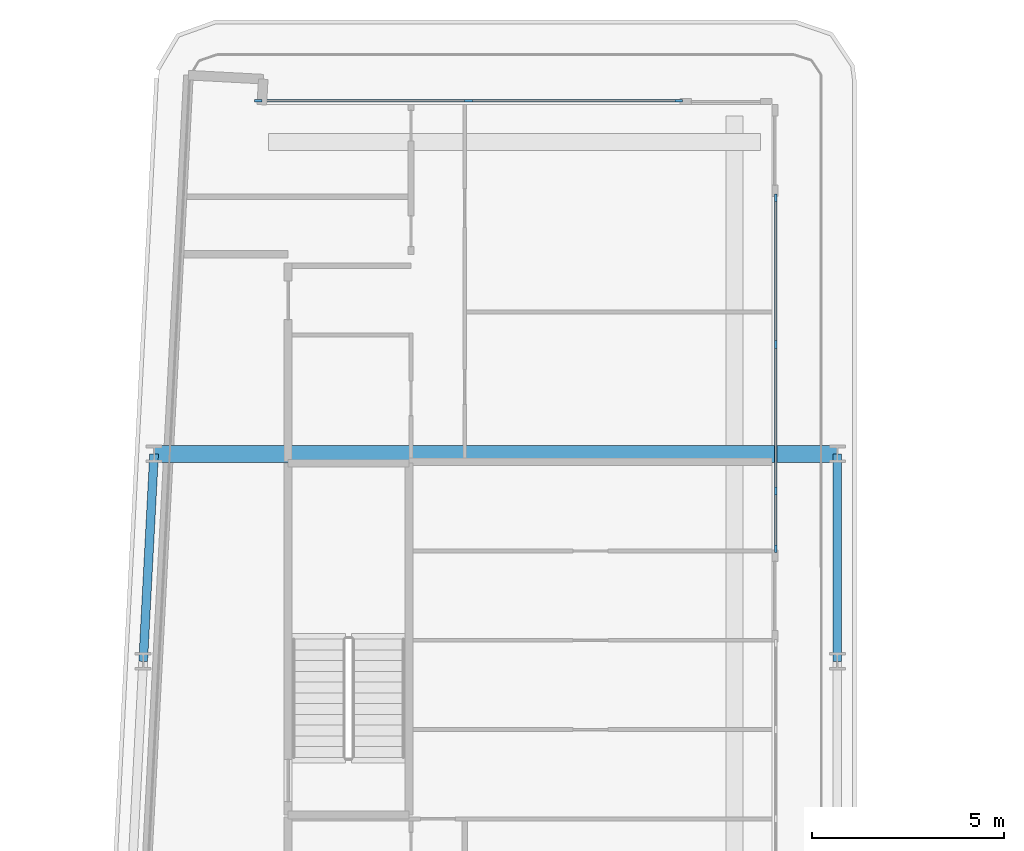
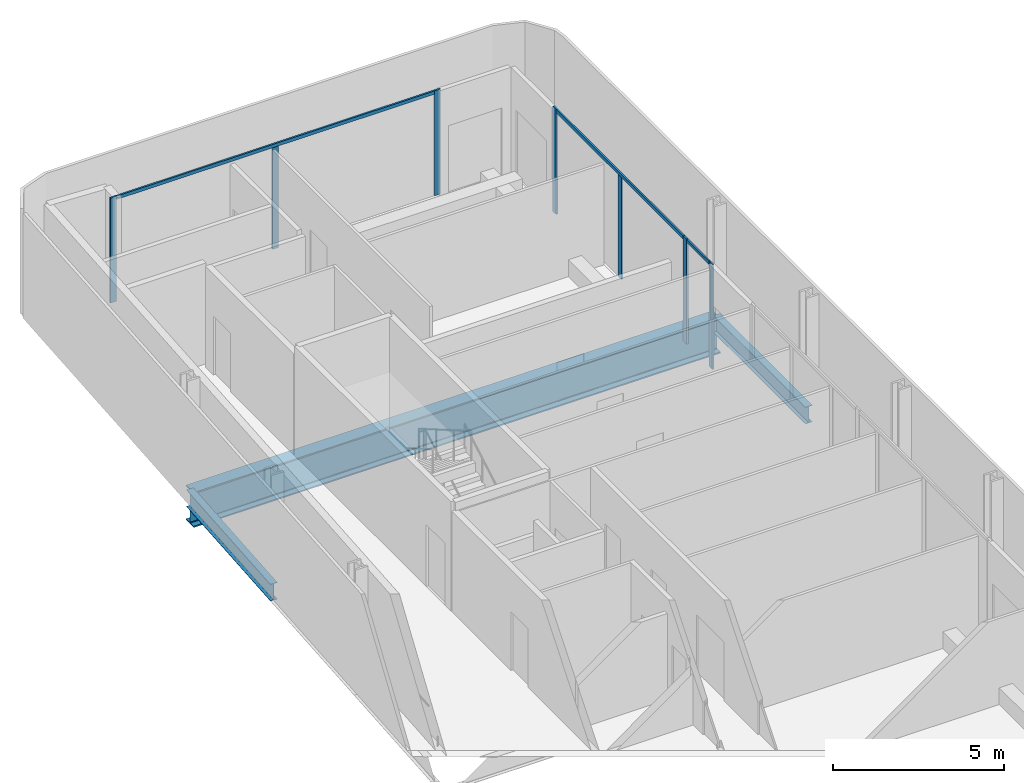
# One storey, part 9 of 28: 10 members, 3 beams, 3 elements without a shape of their own.
"""IFC4 building model written with IfcOpenShell, lengths in metres."""

from ifc_helpers import new_model, si_unit, direction, frame, origin, origin_2d, place, context, subcontext, project, spatial, rectangle, i_section, extrude, material, layer, layer_set, material_profile, profile_set, type_object, element, aggregate, save


model = new_model("IFC4")

# Units and contexts
model_context = context("Model", 3, precision=1e-05, world=origin(), true_north=direction((0.0, 1.0)))
body_context = subcontext(model_context, "Body", "Model", "MODEL_VIEW")
ifc_project = project(units=[si_unit("LENGTHUNIT", "METRE"), si_unit("AREAUNIT", "SQUARE_METRE"), si_unit("VOLUMEUNIT", "CUBIC_METRE"), si_unit("PLANEANGLEUNIT", "RADIAN"), si_unit("MASSUNIT", "GRAM", prefix="KILO")], contexts=[model_context])

# Site, building, storey
site_placement = place(None, origin())
site = spatial("IfcSite", under=ifc_project, at=site_placement, CompositionType="ELEMENT")
building_placement = place(site_placement, origin())
building = spatial("IfcBuilding", under=site, at=building_placement, Name="Kheshtan School and Residences Tower", CompositionType="ELEMENT")
storey_placement = place(building_placement, frame((0.0, 0.0, 133.10009765625)))
storey = spatial("IfcBuildingStorey", under=building, at=storey_placement, Name="L31", CompositionType="ELEMENT", Elevation=133.10009765625)

# Beams
ifc_material_1 = material(Name="Steel ASTM A992 Grade 50", Category="steel")
ifc_material_profile_1 = material_profile(ifc_material_1, i_section(OverallWidth=0.22802734375, OverallDepth=0.60302734375, WebThickness=0.010498046875, FlangeThickness=0.014892578125, FilletRadius=0.013427734375, at=origin_2d()), Name="W610x101")
ifc_profile_set_1 = profile_set([ifc_material_profile_1], Name="Steel ASTM A992 Grade 50")
beam_type_1 = type_object("IfcBeamType", Name="Beam SP2 W610x101 ASTM A992 Grade 50", PredefinedType="BEAM", material=ifc_profile_set_1)
beam_1_placement = place(storey_placement, frame((47.60009765625, 88.800048828125, -0.45166015625), z_axis=(0.0, -1.0, 0.0), x_axis=(1.0, 0.0, 0.0)))
element("IfcBeam", 1, at=beam_1_placement, inside=storey, type_object=beam_type_1, Name="Spandrel beam C099-C091", PredefinedType="BEAM", context=body_context, shape_type="SweptSolid", body=[
    extrude(i_section(OverallWidth=0.22802734375, OverallDepth=0.60302734375, WebThickness=0.010498046875, FlangeThickness=0.014892578125, FilletRadius=0.013427734375, at=origin_2d()), origin(), (0.0, 0.0, 1.0), 5.400146484375),
])
beam_2_placement = place(storey_placement, frame((29.527099609375, 83.39990234375, -0.45166015625), z_axis=(0.05250670125, 0.998620571751, 0.0), x_axis=(-0.998620571751, 0.05250670125, 0.0)))
element("IfcBeam", 2, at=beam_2_placement, inside=storey, type_object=beam_type_1, Name="Spandrel beam C090-C098", PredefinedType="BEAM", context=body_context, shape_type="SweptSolid", body=[
    extrude(i_section(OverallWidth=0.22802734375, OverallDepth=0.60302734375, WebThickness=0.010498046875, FlangeThickness=0.014892578125, FilletRadius=0.013427734375, at=origin_2d()), origin(), (0.0, 0.0, 1.0), 5.40771484375),
])

# Curtain wall, members
ifc_material_2 = material(Name="Clear low-e glass in thermally broken aluminium frame", Category="aluminium")
ifc_layer = layer(ifc_material_2, 0.199951171875)
ifc_layer_set = layer_set([ifc_layer], Name="Curtain wall CW-L")
curtain_wall_type = type_object("IfcCurtainWallType", Name="Curtain wall CW-L", PredefinedType="NOTDEFINED", material=ifc_layer_set)
curtain_wall_1_placement = place(storey_placement, origin())
curtain_wall_1 = element("IfcCurtainWall", 3, at=curtain_wall_1_placement, inside=storey, type_object=curtain_wall_type, Name="Curtain wall CWL7", PredefinedType="NOTDEFINED")
ifc_material_3 = material(Name="Thermally broken aluminium, dark bronze anodised", Category="aluminium")
ifc_material_profile_2 = material_profile(ifc_material_3, rectangle(XDim=0.06005859375, YDim=0.199951171875, at=origin_2d()), Name="CW-L mullion 60x200")
ifc_profile_set_2 = profile_set([ifc_material_profile_2], Name="Thermally broken aluminium, dark bronze anodised")
member_type_1 = type_object("IfcMemberType", Name="CW-L mullion 60x200", PredefinedType="MULLION", material=ifc_profile_set_2)
member_1_placement = place(storey_placement, frame((32.52197265625, 98.0, 0.0), z_axis=(0.0, 0.0, 1.0), x_axis=(0.0, 1.0, 0.0)))
member_1 = element("IfcMember", 4, at=member_1_placement, type_object=member_type_1, Name="CWL7 mullion 1", PredefinedType="MULLION", context=body_context, shape_type="SweptSolid", body=[
    extrude(rectangle(XDim=0.06005859375, YDim=0.199951171875, at=origin_2d()), origin(), (0.0, 0.0, 1.0), 3.75),
])
member_2_placement = place(storey_placement, frame((37.99609375, 98.0, 0.0), z_axis=(0.0, 0.0, 1.0), x_axis=(0.0, 1.0, 0.0)))
member_2 = element("IfcMember", 5, at=member_2_placement, type_object=member_type_1, Name="CWL7 mullion 2", PredefinedType="MULLION", context=body_context, shape_type="SweptSolid", body=[
    extrude(rectangle(XDim=0.06005859375, YDim=0.199951171875, at=origin_2d()), origin(), (0.0, 0.0, 1.0), 3.6298828125),
])
member_3_placement = place(storey_placement, frame((43.469970703125, 98.0, 0.0), z_axis=(0.0, 0.0, 1.0), x_axis=(0.0, 1.0, 0.0)))
member_3 = element("IfcMember", 6, at=member_3_placement, type_object=member_type_1, Name="CWL7 mullion 3", PredefinedType="MULLION", context=body_context, shape_type="SweptSolid", body=[
    extrude(rectangle(XDim=0.06005859375, YDim=0.199951171875, at=origin_2d()), origin(), (0.0, 0.0, 1.0), 3.75),
])

curtain_wall_2_placement = place(storey_placement, origin())
curtain_wall_2 = element("IfcCurtainWall", 7, at=curtain_wall_2_placement, inside=storey, type_object=curtain_wall_type, Name="Curtain wall CWL8", PredefinedType="NOTDEFINED")
member_4_placement = place(storey_placement, frame((46.0, 95.469970703125, 0.0), z_axis=(0.0, 0.0, 1.0), x_axis=(1.0, 0.0, 0.0)))
member_4 = element("IfcMember", 8, at=member_4_placement, type_object=member_type_1, Name="CWL8 mullion 1", PredefinedType="MULLION", context=body_context, shape_type="SweptSolid", body=[
    extrude(rectangle(XDim=0.06005859375, YDim=0.199951171875, at=origin_2d()), origin(), (0.0, 0.0, 1.0), 3.75),
])
member_5_placement = place(storey_placement, frame((46.0, 91.653076171875, 0.0), z_axis=(0.0, 0.0, 1.0), x_axis=(1.0, 0.0, 0.0)))
member_5 = element("IfcMember", 9, at=member_5_placement, type_object=member_type_1, Name="CWL8 mullion 2", PredefinedType="MULLION", context=body_context, shape_type="SweptSolid", body=[
    extrude(rectangle(XDim=0.06005859375, YDim=0.199951171875, at=origin_2d()), origin(), (0.0, 0.0, 1.0), 3.6298828125),
])
member_6_placement = place(storey_placement, frame((46.0, 87.8359375, 0.0), z_axis=(0.0, 0.0, 1.0), x_axis=(1.0, 0.0, 0.0)))
member_6 = element("IfcMember", 10, at=member_6_placement, type_object=member_type_1, Name="CWL8 mullion 3", PredefinedType="MULLION", context=body_context, shape_type="SweptSolid", body=[
    extrude(rectangle(XDim=0.06005859375, YDim=0.199951171875, at=origin_2d()), origin(), (0.0, 0.0, 1.0), 3.75),
])

# Curtain wall, member
curtain_wall_3_placement = place(storey_placement, origin())
curtain_wall_3 = element("IfcCurtainWall", 11, at=curtain_wall_3_placement, inside=storey, type_object=curtain_wall_type, Name="Curtain wall CWL8a", PredefinedType="NOTDEFINED")
member_7_placement = place(storey_placement, frame((46.0, 86.3359375, 0.0), z_axis=(0.0, 0.0, 1.0), x_axis=(1.0, 0.0, 0.0)))
member_7 = element("IfcMember", 12, at=member_7_placement, type_object=member_type_1, Name="CWL8a mullion 2", PredefinedType="MULLION", context=body_context, shape_type="SweptSolid", body=[
    extrude(rectangle(XDim=0.06005859375, YDim=0.199951171875, at=origin_2d()), origin(), (0.0, 0.0, 1.0), 3.75),
])

# Member
ifc_material_profile_3 = material_profile(ifc_material_3, rectangle(XDim=0.06005859375, YDim=0.1201171875, at=origin_2d()), Name="CW-L transom 60x120")
ifc_profile_set_3 = profile_set([ifc_material_profile_3], Name="Thermally broken aluminium, dark bronze anodised")
member_type_2 = type_object("IfcMemberType", Name="CW-L transom 60x120", PredefinedType="USERDEFINED", material=ifc_profile_set_3)
member_8_placement = place(storey_placement, frame((32.552001953125, 98.0, 3.68994140625), z_axis=(1.0, 0.0, 0.0), x_axis=(0.0, 1.0, 0.0)))
member_8 = element("IfcMember", 13, at=member_8_placement, type_object=member_type_2, Name="CWL7 transom 1", ObjectType="TRANSOM", PredefinedType="USERDEFINED", context=body_context, shape_type="SweptSolid", body=[
    extrude(rectangle(XDim=0.06005859375, YDim=0.1201171875, at=origin_2d()), origin(), (0.0, 0.0, 1.0), 10.887939453125),
])

aggregate(curtain_wall_1, [member_1, member_2, member_3, member_8])

member_9_placement = place(storey_placement, frame((46.0, 95.43994140625, 3.68994140625), z_axis=(0.0, -1.0, 0.0), x_axis=(1.0, 0.0, 0.0)))
member_9 = element("IfcMember", 14, at=member_9_placement, type_object=member_type_2, Name="CWL8 transom 1", ObjectType="TRANSOM", PredefinedType="USERDEFINED", context=body_context, shape_type="SweptSolid", body=[
    extrude(rectangle(XDim=0.06005859375, YDim=0.1201171875, at=origin_2d()), origin(), (0.0, 0.0, 1.0), 7.573974609375),
])

aggregate(curtain_wall_2, [member_4, member_5, member_6, member_9])

member_10_placement = place(storey_placement, frame((46.0, 87.805908203125, 3.68994140625), z_axis=(0.0, -1.0, 0.0), x_axis=(1.0, 0.0, 0.0)))
member_10 = element("IfcMember", 15, at=member_10_placement, type_object=member_type_2, Name="CWL8a transom 1", ObjectType="TRANSOM", PredefinedType="USERDEFINED", context=body_context, shape_type="SweptSolid", body=[
    extrude(rectangle(XDim=0.06005859375, YDim=0.1201171875, at=origin_2d()), origin(), (0.0, 0.0, 1.0), 1.43994140625),
])

aggregate(curtain_wall_3, [member_7, member_10])

# Beam
ifc_material_profile_4 = material_profile(ifc_material_1, i_section(OverallWidth=0.449951171875, OverallDepth=1.25, WebThickness=0.02490234375, FlangeThickness=0.044921875, FilletRadius=0.03759765625, at=origin_2d()), Name="WWF1250x546")
ifc_profile_set_4 = profile_set([ifc_material_profile_4], Name="Steel ASTM A992 Grade 50")
beam_type_2 = type_object("IfcBeamType", Name="Transfer girder TG4 WWF1250x546 ASTM A992 Grade 50", PredefinedType="BEAM", material=ifc_profile_set_4)
beam_3_placement = place(storey_placement, frame((29.81103515625, 88.800048828125, -0.775146484375), z_axis=(1.0, 0.0, 0.0), x_axis=(0.0, 1.0, 0.0)))
element("IfcBeam", 16, at=beam_3_placement, inside=storey, type_object=beam_type_2, Name="Transfer girder C098-C099", PredefinedType="BEAM", context=body_context, shape_type="SweptSolid", body=[
    extrude(i_section(OverallWidth=0.449951171875, OverallDepth=1.25, WebThickness=0.02490234375, FlangeThickness=0.044921875, FilletRadius=0.03759765625, at=origin_2d()), origin(), (0.0, 0.0, 1.0), 17.7890625),
])

save(model, "model.ifc")
